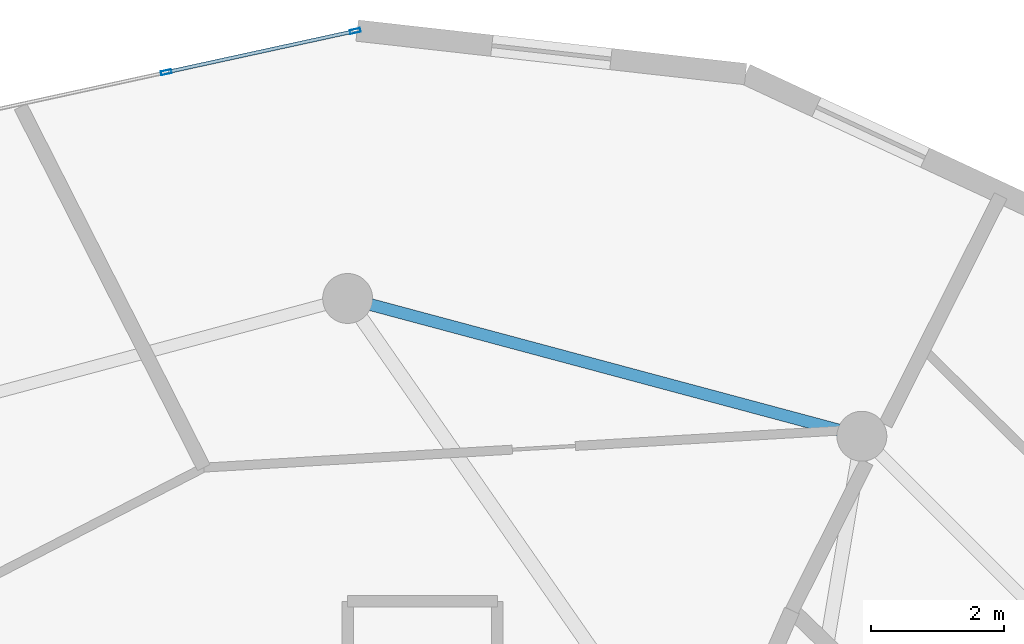
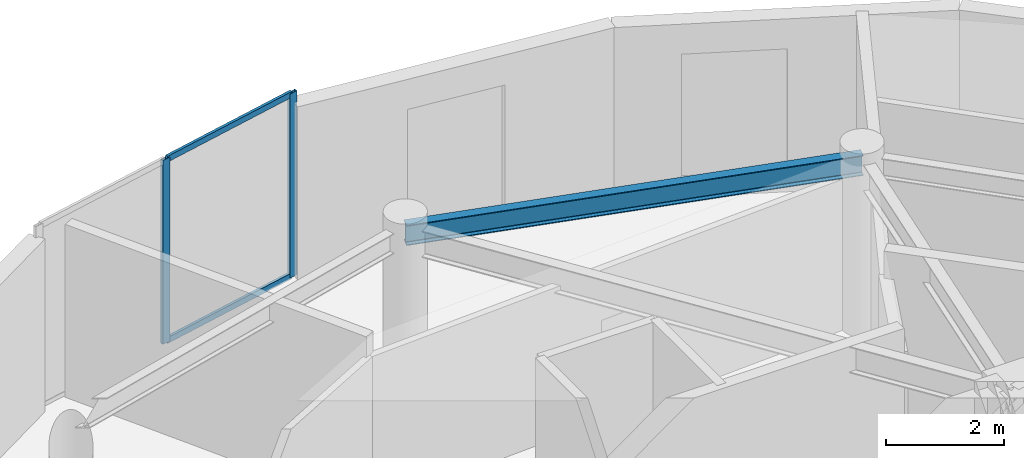
# One storey, part 9 of 15: 4 members, 1 beam, 1 element without a shape of its own.
"""IFC4 building model written with IfcOpenShell, lengths in metres."""

from ifc_helpers import new_model, si_unit, direction, frame, origin, origin_2d, place, context, subcontext, project, spatial, hollow_rectangle, i_section, extrude, source, transform, mapped, material, layer, layer_set, material_profile, profile_set, type_object, element, aggregate, save


model = new_model("IFC4")

# Units and contexts
model_context = context("Model", 3, precision=1e-05, world=origin(), true_north=direction((0.0, 1.0)))
body_context = subcontext(model_context, "Body", "Model", "MODEL_VIEW")
ifc_project = project(units=[si_unit("LENGTHUNIT", "METRE"), si_unit("AREAUNIT", "SQUARE_METRE"), si_unit("VOLUMEUNIT", "CUBIC_METRE"), si_unit("PLANEANGLEUNIT", "RADIAN"), si_unit("MASSUNIT", "GRAM", prefix="KILO")], contexts=[model_context])

# Site, building, storey
site_placement = place(None, origin())
site = spatial("IfcSite", under=ifc_project, at=site_placement, CompositionType="ELEMENT")
building_placement = place(site_placement, origin())
building = spatial("IfcBuilding", under=site, at=building_placement, Name="Solvirekh Grand Hotel", CompositionType="ELEMENT")
storey_placement = place(building_placement, frame((0.0, 0.0, 270.60009765625)))
storey = spatial("IfcBuildingStorey", under=building, at=storey_placement, Name="L70", CompositionType="ELEMENT", Elevation=270.60009765625)

# Beam
ifc_material_1 = material(Name="Steel S355", Category="steel")
ifc_material_profile_1 = material_profile(ifc_material_1, i_section(OverallWidth=0.180908203125, OverallDepth=0.4169921875, WebThickness=0.010009765625, FlangeThickness=0.01611328125, FilletRadius=0.011962890625, at=origin_2d()), Name="W410X85")
ifc_profile_set_1 = profile_set([ifc_material_profile_1], Name="Steel S355")
beam_type = type_object("IfcBeamType", Name="Spandrel_Ring_W410", PredefinedType="SPANDREL", material=ifc_profile_set_1)
beam_placement = place(storey_placement, frame((7.72509765625, 13.3798828125, 3.36181640625), z_axis=(-0.965921616143, 0.258834757072, 0.0), x_axis=(-0.258834757072, -0.965921616143, 0.0)))
element("IfcBeam", 1, at=beam_placement, inside=storey, type_object=beam_type, Name="L70 perimeter spandrel beam 3", PredefinedType="SPANDREL", context=body_context, shape_type="SweptSolid", body=[
    extrude(i_section(OverallWidth=0.180908203125, OverallDepth=0.4169921875, WebThickness=0.010009765625, FlangeThickness=0.01611328125, FilletRadius=0.011962890625, at=origin_2d()), origin(), (0.0, 0.0, 1.0), 7.99755859375),
])

# Curtain wall, members
ifc_material_2 = material(Name="Anodized Bronze Aluminium 6063-T6", Category="aluminium")
ifc_layer = layer(ifc_material_2, 0.159912109375)
ifc_layer_set = layer_set([ifc_layer], Name="Anodized Bronze Aluminium 6063-T6")
curtain_wall_type = type_object("IfcCurtainWallType", Name="CW_Sys4_HighZoneFlushBronzeCW", PredefinedType="NOTDEFINED", material=ifc_layer_set)
curtain_wall_placement = place(storey_placement, origin())
curtain_wall = element("IfcCurtainWall", 2, at=curtain_wall_placement, inside=storey, type_object=curtain_wall_type, Name="L70 unitised bronze-glass curtain wall CW-L70-C11", PredefinedType="NOTDEFINED")
ifc_material_profile_2 = material_profile(ifc_material_2, hollow_rectangle(XDim=0.06005859375, YDim=0.159912109375, WallThickness=0.0048828125, at=origin_2d()), Name="ALU RHS 160X60X5")
ifc_profile_set_2 = profile_set([ifc_material_profile_2], Name="Anodized Bronze Aluminium 6063-T6")
member_type_1 = type_object("IfcMemberType", Name="CWMullion_Sys4", PredefinedType="MULLION", material=ifc_profile_set_2)
shared_shape_1 = source(origin(), body_context, "Body", "SweptSolid", [
    extrude(hollow_rectangle(XDim=0.06005859375, YDim=0.159912109375, WallThickness=0.0048828125, at=origin_2d()), origin(), (0.0, 0.0, 1.0), 3.7998046875),
])
member_1_placement = place(storey_placement, frame((0.11376953125, 19.467529296875, 0.0), z_axis=(0.0, 0.0, 1.0), x_axis=(0.213214365324, -0.977005442369, 0.0)))
member_1 = element("IfcMember", 3, at=member_1_placement, type_object=member_type_1, Name="U04 mullion 1", PredefinedType="MULLION", context=body_context, shape_type="MappedRepresentation", body=[
    mapped(shared_shape_1, transform((0.0, 0.0, 0.0), x_axis=(1.0, 0.0, 0.0), y_axis=(0.0, 1.0, 0.0), z_axis=(0.0, 0.0, 1.0), scale=1.0)),
])
member_2_placement = place(storey_placement, frame((-2.7255859375, 18.847900390625, 0.0), z_axis=(0.0, 0.0, 1.0), x_axis=(0.213214365324, -0.977005442369, 0.0)))
member_2 = element("IfcMember", 4, at=member_2_placement, type_object=member_type_1, Name="U04 mullion 2", PredefinedType="MULLION", context=body_context, shape_type="MappedRepresentation", body=[
    mapped(shared_shape_1, transform((0.0, 0.0, 0.0), x_axis=(1.0, 0.0, 0.0), y_axis=(0.0, 1.0, 0.0), z_axis=(0.0, 0.0, 1.0), scale=1.0)),
])
ifc_material_profile_3 = material_profile(ifc_material_2, hollow_rectangle(XDim=0.054931640625, YDim=0.1201171875, WallThickness=0.00390625, at=origin_2d()), Name="ALU RHS 120X55X4")
ifc_profile_set_3 = profile_set([ifc_material_profile_3], Name="Anodized Bronze Aluminium 6063-T6")
member_type_2 = type_object("IfcMemberType", Name="CWTransom_Sys4", PredefinedType="USERDEFINED", material=ifc_profile_set_3)
shared_shape_2 = source(origin(), body_context, "Body", "SweptSolid", [
    extrude(hollow_rectangle(XDim=0.054931640625, YDim=0.1201171875, WallThickness=0.00390625, at=origin_2d()), origin(), (0.0, 0.0, 1.0), 2.84619140625),
])
member_3_placement = place(storey_placement, frame((0.08447265625, 19.461181640625, 0.02734375), z_axis=(-0.977017385462, -0.213159631508, 0.0), x_axis=(0.213159631508, -0.977017385462, 0.0)))
member_3 = element("IfcMember", 5, at=member_3_placement, type_object=member_type_2, Name="U04 transom 1.1", ObjectType="TRANSOM", PredefinedType="USERDEFINED", context=body_context, shape_type="MappedRepresentation", body=[
    mapped(shared_shape_2, transform((0.0, 0.0, 0.0), x_axis=(1.0, 0.0, 0.0), y_axis=(0.0, 1.0, 0.0), z_axis=(0.0, 0.0, 1.0), scale=1.0)),
])
member_4_placement = place(storey_placement, frame((0.08447265625, 19.461181640625, 3.7724609375), z_axis=(-0.977017385462, -0.213159631508, 0.0), x_axis=(0.213159631508, -0.977017385462, 0.0)))
member_4 = element("IfcMember", 6, at=member_4_placement, type_object=member_type_2, Name="U04 transom 1.2", ObjectType="TRANSOM", PredefinedType="USERDEFINED", context=body_context, shape_type="MappedRepresentation", body=[
    mapped(shared_shape_2, transform((0.0, 0.0, 0.0), x_axis=(1.0, 0.0, 0.0), y_axis=(0.0, 1.0, 0.0), z_axis=(0.0, 0.0, 1.0), scale=1.0)),
])
aggregate(curtain_wall, [member_1, member_2, member_3, member_4])

save(model, "model.ifc")
